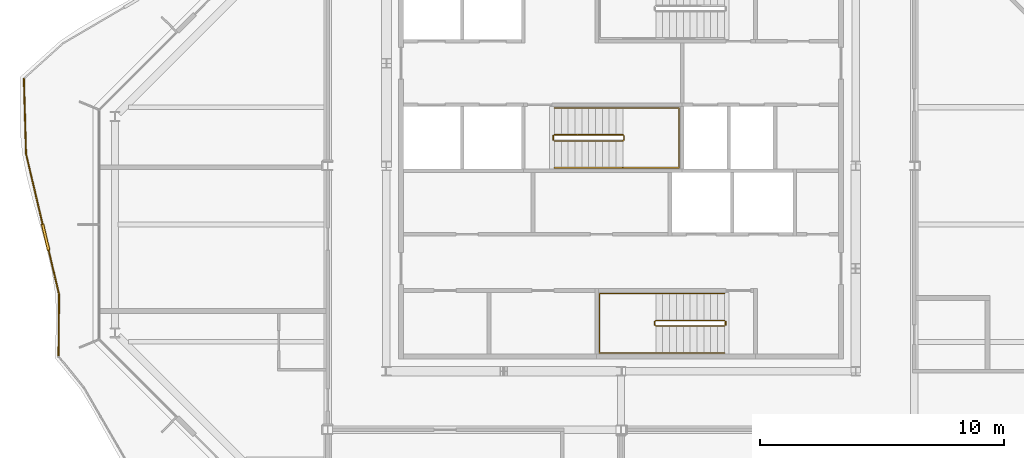
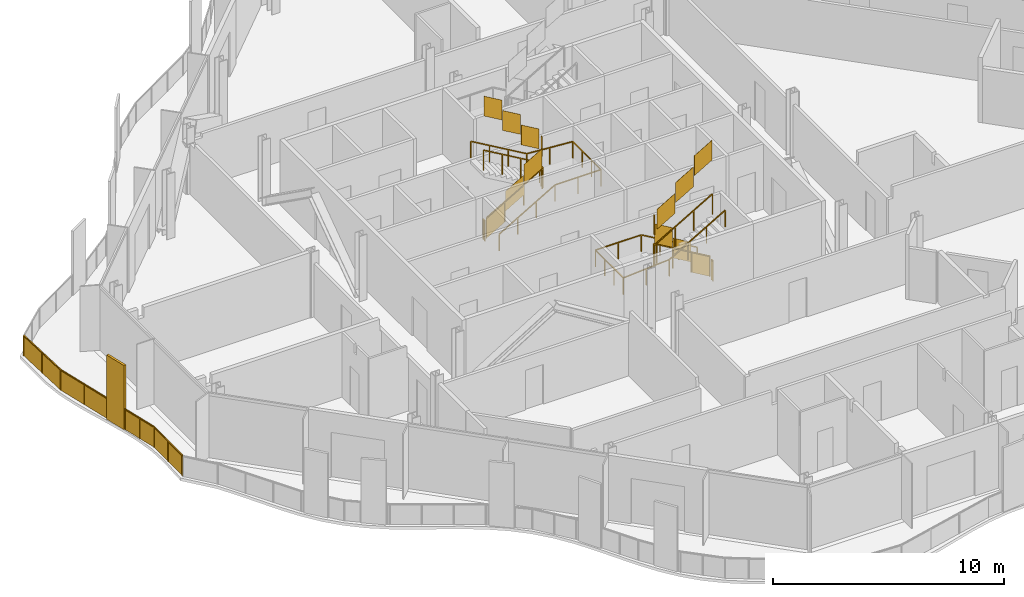
# One storey, part 14 of 17: 7 railings.
"""IFC4 building model written with IfcOpenShell, lengths in metres."""

from ifc_helpers import new_model, si_unit, direction, frame, origin, origin_2d, place, context, subcontext, project, spatial, polyline, rectangle, outline, extrude, material, type_object, element, save


model = new_model("IFC4")

# Units and contexts
model_context = context("Model", 3, precision=1e-05, world=origin(), true_north=direction((0.0, 1.0)))
body_context = subcontext(model_context, "Body", "Model", "MODEL_VIEW")
ifc_project = project(units=[si_unit("LENGTHUNIT", "METRE"), si_unit("AREAUNIT", "SQUARE_METRE"), si_unit("VOLUMEUNIT", "CUBIC_METRE"), si_unit("PLANEANGLEUNIT", "RADIAN"), si_unit("MASSUNIT", "GRAM", prefix="KILO")], contexts=[model_context])

# Site, building, storey
site_placement = place(None, origin())
site = spatial("IfcSite", under=ifc_project, at=site_placement, CompositionType="ELEMENT")
building_placement = place(site_placement, origin())
building = spatial("IfcBuilding", under=site, at=building_placement, Name="Cairn Pilgrim Tower", CompositionType="ELEMENT")
storey_placement = place(building_placement, frame((0.0, 0.0, 253.800048828125)))
storey = spatial("IfcBuildingStorey", under=building, at=storey_placement, Name="L65", CompositionType="ELEMENT", Elevation=253.800048828125)

# Railings
ifc_material_1 = material(Name="Bronze anodised aluminium rail, posts and fin screens with laminated glass infill", Category="aluminium")
railing_type_1 = type_object("IfcRailingType", Name="BALCONY GUARD WITH FIN SCREENS", PredefinedType="GUARDRAIL", material=ifc_material_1)
railing_1_placement = place(storey_placement, frame((-17.231201171875, 5.970703125, 0.0)))
element("IfcRailing", 1, at=railing_1_placement, inside=storey, type_object=railing_type_1, Name="Balcony guard BGF-7 with fin screens", PredefinedType="GUARDRAIL", context=body_context, shape_type="SweptSolid", body=[
    extrude(rectangle(XDim=0.050048828125, YDim=0.050048828125, at=origin_2d()), frame((0.0, 0.0, 1.0751953125), z_axis=(0.028605141821, -0.999590789204, 0.0), x_axis=(0.999590789204, 0.028605141821, 0.0)), (0.0, 0.0, 1.0), 3.072509765625),
    extrude(rectangle(XDim=1.10009765625, YDim=0.110107421875, at=origin_2d()), frame((0.88818359375, -6.484619140625, 0.0), z_axis=(0.0, 0.0, 1.0), x_axis=(0.228262189915, -0.973599698364, 0.0)), (0.0, 0.0, 1.0), 3.39990234375),
    extrude(rectangle(XDim=0.050048828125, YDim=0.050048828125, at=origin_2d()), frame((0.087890625, -3.0712890625, 1.0751953125), z_axis=(0.228262189915, -0.973599698364, 0.0), x_axis=(0.973599698364, 0.228262189915, 0.0)), (0.0, 0.0, 1.0), 2.9560546875),
    extrude(rectangle(XDim=0.050048828125, YDim=0.050048828125, at=origin_2d()), frame((1.013671875, -7.020263671875, 1.0751953125), z_axis=(0.228262189915, -0.973599698364, 0.0), x_axis=(0.973599698364, 0.228262189915, 0.0)), (0.0, 0.0, 1.0), 1.863037109375),
    extrude(rectangle(XDim=0.050048828125, YDim=0.050048828125, at=origin_2d()), frame((1.43896484375, -8.833984375, 1.0751953125), z_axis=(-0.008395595051, -0.999964756371, 0.0), x_axis=(0.999964756371, -0.008395595051, 0.0)), (0.0, 0.0, 1.0), 2.4716796875),
    extrude(rectangle(XDim=0.050048828125, YDim=0.050048828125, at=origin_2d()), origin(), (0.0, 0.0, 1.0), 1.050048828125),
    extrude(rectangle(XDim=0.050048828125, YDim=0.050048828125, at=origin_2d()), frame((0.0439453125, -1.53564453125, 0.0)), (0.0, 0.0, 1.0), 1.050048828125),
    extrude(rectangle(XDim=0.050048828125, YDim=0.050048828125, at=origin_2d()), frame((0.087890625, -3.0712890625, 0.0)), (0.0, 0.0, 1.0), 1.050048828125),
    extrude(rectangle(XDim=0.050048828125, YDim=0.050048828125, at=origin_2d()), frame((0.42236328125, -4.498046875, 0.0)), (0.0, 0.0, 1.0), 1.050048828125),
    extrude(rectangle(XDim=0.050048828125, YDim=0.050048828125, at=origin_2d()), frame((0.7568359375, -5.9248046875, 0.0)), (0.0, 0.0, 1.0), 1.050048828125),
    extrude(rectangle(XDim=0.050048828125, YDim=0.050048828125, at=origin_2d()), frame((1.01953125, -7.04443359375, 0.0)), (0.0, 0.0, 1.0), 1.050048828125),
    extrude(rectangle(XDim=0.050048828125, YDim=0.050048828125, at=origin_2d()), frame((1.229248046875, -7.939208984375, 0.0)), (0.0, 0.0, 1.0), 1.050048828125),
    extrude(rectangle(XDim=0.050048828125, YDim=0.050048828125, at=origin_2d()), frame((1.43896484375, -8.833984375, 0.0)), (0.0, 0.0, 1.0), 1.050048828125),
    extrude(rectangle(XDim=0.050048828125, YDim=0.050048828125, at=origin_2d()), frame((1.4287109375, -10.06982421875, 0.0)), (0.0, 0.0, 1.0), 1.050048828125),
    extrude(rectangle(XDim=0.050048828125, YDim=0.050048828125, at=origin_2d()), frame((1.418212890625, -11.3056640625, 0.0)), (0.0, 0.0, 1.0), 1.050048828125),
    extrude(outline(polyline([(0.02490234375, 0.0), (1.51123046875, 0.0), (1.51123046875, 1.050048828125), (0.02490234375, 1.050048828125), (0.02490234375, 0.0)])), frame((0.005859375, 0.000244140625, 0.0), z_axis=(-0.999590789204, -0.028605141821, 0.0), x_axis=(0.028605141821, -0.999590789204, 0.0)), (0.0, 0.0, 1.0), 0.011962890625),
    extrude(outline(polyline([(0.02490234375, 0.0), (1.51123046875, 0.0), (1.51123046875, 1.050048828125), (0.02490234375, 1.050048828125), (0.02490234375, 0.0)])), frame((0.0498046875, -1.535400390625, 0.0), z_axis=(-0.999590789204, -0.028605141821, 0.0), x_axis=(0.028605141821, -0.999590789204, 0.0)), (0.0, 0.0, 1.0), 0.011962890625),
    extrude(outline(polyline([(0.02490234375, 0.0), (1.4404296875, 0.0), (1.4404296875, 1.050048828125), (0.02490234375, 1.050048828125), (0.02490234375, 0.0)])), frame((0.09375, -3.06982421875, 0.0), z_axis=(-0.973599698364, -0.228262189915, 0.0), x_axis=(0.228262189915, -0.973599698364, 0.0)), (0.0, 0.0, 1.0), 0.011962890625),
    extrude(outline(polyline([(0.02490234375, 0.0), (1.4404296875, 0.0), (1.4404296875, 1.050048828125), (0.02490234375, 1.050048828125), (0.02490234375, 0.0)])), frame((0.42822265625, -4.49658203125, 0.0), z_axis=(-0.973599698364, -0.228262189915, 0.0), x_axis=(0.228262189915, -0.973599698364, 0.0)), (0.0, 0.0, 1.0), 0.011962890625),
    extrude(outline(polyline([(0.02490234375, 0.0), (0.89404296875, 0.0), (0.89404296875, 1.050048828125), (0.02490234375, 1.050048828125), (0.02490234375, 0.0)])), frame((1.025146484375, -7.043212890625, 0.0), z_axis=(-0.973599698364, -0.228262189915, 0.0), x_axis=(0.228262189915, -0.973599698364, 0.0)), (0.0, 0.0, 1.0), 0.011962890625),
    extrude(outline(polyline([(0.02490234375, 0.0), (0.89404296875, 0.0), (0.89404296875, 1.050048828125), (0.02490234375, 1.050048828125), (0.02490234375, 0.0)])), frame((1.235107421875, -7.93798828125, 0.0), z_axis=(-0.973599698364, -0.228262189915, 0.0), x_axis=(0.228262189915, -0.973599698364, 0.0)), (0.0, 0.0, 1.0), 0.011962890625),
    extrude(outline(polyline([(0.02490234375, 0.0), (1.2109375, 0.0), (1.2109375, 1.050048828125), (0.02490234375, 1.050048828125), (0.02490234375, 0.0)])), frame((1.44482421875, -8.833984375, 0.0), z_axis=(-0.999964756371, 0.008395595051, 0.0), x_axis=(-0.008395595051, -0.999964756371, 0.0)), (0.0, 0.0, 1.0), 0.011962890625),
    extrude(outline(polyline([(0.02490234375, 0.0), (1.2109375, 0.0), (1.2109375, 1.050048828125), (0.02490234375, 1.050048828125), (0.02490234375, 0.0)])), frame((1.4345703125, -10.06982421875, 0.0), z_axis=(-0.999964756371, 0.008395595051, 0.0), x_axis=(-0.008395595051, -0.999964756371, 0.0)), (0.0, 0.0, 1.0), 0.011962890625),
])
ifc_material_2 = material(Name="Painted steel", Category="steel")
railing_type_2 = type_object("IfcRailingType", Name="STAIR GUARD 1100", PredefinedType="GUARDRAIL", material=ifc_material_2)
railing_2_placement = place(storey_placement, frame((11.425048828125, -3.925048828125, 0.16357421875)))
element("IfcRailing", 2, at=railing_2_placement, inside=storey, type_object=railing_type_2, Name="L65 ST-A stair guard 1", PredefinedType="GUARDRAIL", context=body_context, shape_type="SweptSolid", body=[
    extrude(rectangle(XDim=0.048095703125, YDim=0.048095703125, at=origin_2d()), frame((0.0, 0.0, 1.076171875), z_axis=(-0.863360870873, 0.0, 0.504586966384), x_axis=(0.0, -1.0, 0.0)), (0.0, 0.0, 1.0), 3.2431640625),
    extrude(rectangle(XDim=0.048095703125, YDim=0.048095703125, at=origin_2d()), frame((-2.800048828125, 0.0, 2.71240234375), z_axis=(-0.707106781187, -0.707106781187, 0.0), x_axis=(0.707106781187, -0.707106781187, 0.0)), (0.0, 0.0, 1.0), 0.07080078125),
    extrude(rectangle(XDim=0.048095703125, YDim=0.048095703125, at=origin_2d()), frame((-2.85009765625, -0.050048828125, 2.71240234375), z_axis=(0.0, -1.0, 0.0), x_axis=(1.0, 0.0, 0.0)), (0.0, 0.0, 1.0), 0.125),
    extrude(rectangle(XDim=0.048095703125, YDim=0.048095703125, at=origin_2d()), frame((-2.85009765625, -0.175048828125, 2.71240234375), z_axis=(0.280916556609, -0.279546231943, 0.91811752648), x_axis=(0.705375805398, 0.708833529934, 0.0)), (0.0, 0.0, 1.0), 0.17822265625),
    extrude(rectangle(XDim=0.048095703125, YDim=0.048095703125, at=origin_2d()), frame((-2.800048828125, -0.224853515625, 2.8759765625), z_axis=(0.863393664356, 0.0, 0.504530851732), x_axis=(0.0, 1.0, 0.0)), (0.0, 0.0, 1.0), 3.2431640625),
    extrude(rectangle(XDim=0.0419921875, YDim=0.0419921875, at=origin_2d()), origin(), (0.0, 0.0, 1.0), 1.052001953125),
    extrude(rectangle(XDim=0.0419921875, YDim=0.0419921875, at=origin_2d()), frame((-0.933349609375, 0.0, 0.54541015625)), (0.0, 0.0, 1.0), 1.052001953125),
    extrude(rectangle(XDim=0.0419921875, YDim=0.0419921875, at=origin_2d()), frame((-1.86669921875, 0.0, 1.091064453125)), (0.0, 0.0, 1.0), 1.052001953125),
    extrude(rectangle(XDim=0.0419921875, YDim=0.0419921875, at=origin_2d()), frame((-2.800048828125, 0.0, 1.636474609375)), (0.0, 0.0, 1.0), 1.052001953125),
    extrude(rectangle(XDim=0.0419921875, YDim=0.0419921875, at=origin_2d()), frame((-2.85009765625, -0.050048828125, 1.636474609375)), (0.0, 0.0, 1.0), 1.052001953125),
    extrude(rectangle(XDim=0.0419921875, YDim=0.0419921875, at=origin_2d()), frame((-2.85009765625, -0.175048828125, 1.636474609375)), (0.0, 0.0, 1.0), 1.052001953125),
    extrude(rectangle(XDim=0.0419921875, YDim=0.0419921875, at=origin_2d()), frame((-2.800048828125, -0.224853515625, 1.800048828125)), (0.0, 0.0, 1.0), 1.052001953125),
    extrude(rectangle(XDim=0.0419921875, YDim=0.0419921875, at=origin_2d()), frame((-1.86669921875, -0.224853515625, 2.345458984375)), (0.0, 0.0, 1.0), 1.052001953125),
    extrude(rectangle(XDim=0.0419921875, YDim=0.0419921875, at=origin_2d()), frame((-0.933349609375, -0.224853515625, 2.890869140625)), (0.0, 0.0, 1.0), 1.052001953125),
    extrude(rectangle(XDim=0.0419921875, YDim=0.0419921875, at=origin_2d()), frame((0.0, -0.224853515625, 3.436279296875)), (0.0, 0.0, 1.0), 1.052001953125),
    extrude(outline(polyline([(0.02099609375, 0.01220703125), (0.912353515625, 0.533203125), (0.912353515625, 1.585205078125), (0.02099609375, 1.064208984375), (0.02099609375, 0.01220703125)])), frame((0.0, -0.005859375, 0.0), z_axis=(0.0, 1.0, 0.0), x_axis=(-1.0, 0.0, 0.0)), (0.0, 0.0, 1.0), 0.011962890625),
    extrude(outline(polyline([(0.02099609375, 0.557861328125), (0.912353515625, 1.07861328125), (0.912353515625, 2.130615234375), (0.02099609375, 1.60986328125), (0.02099609375, 0.557861328125)])), frame((-0.933349609375, -0.005859375, 0.54541015625), z_axis=(0.0, 1.0, 0.0), x_axis=(-1.0, 0.0, 0.0)), (0.0, 0.0, 1.0), 0.011962890625),
    extrude(outline(polyline([(0.02099609375, 1.103271484375), (0.912353515625, 1.624267578125), (0.912353515625, 2.67626953125), (0.02099609375, 2.1552734375), (0.02099609375, 1.103271484375)])), frame((-1.86669921875, -0.005859375, 1.091064453125), z_axis=(0.0, 1.0, 0.0), x_axis=(-1.0, 0.0, 0.0)), (0.0, 0.0, 1.0), 0.011962890625),
    extrude(outline(polyline([(0.02099609375, 1.636474609375), (0.10400390625, 1.636474609375), (0.10400390625, 2.6884765625), (0.02099609375, 2.6884765625), (0.02099609375, 1.636474609375)])), frame((-2.84423828125, -0.050048828125, 1.636474609375), z_axis=(-1.0, 0.0, 0.0), x_axis=(0.0, -1.0, 0.0)), (0.0, 0.0, 1.0), 0.011962890625),
    extrude(outline(polyline([(0.02099609375, 1.812255859375), (0.912353515625, 2.333251953125), (0.912353515625, 3.38525390625), (0.02099609375, 2.8642578125), (0.02099609375, 1.812255859375)])), frame((-2.800048828125, -0.21875, 1.800048828125), z_axis=(0.0, -1.0, 0.0), x_axis=(1.0, 0.0, 0.0)), (0.0, 0.0, 1.0), 0.011962890625),
    extrude(outline(polyline([(0.02099609375, 2.357666015625), (0.912353515625, 2.878662109375), (0.912353515625, 3.9306640625), (0.02099609375, 3.40966796875), (0.02099609375, 2.357666015625)])), frame((-1.86669921875, -0.21875, 2.345458984375), z_axis=(0.0, -1.0, 0.0), x_axis=(1.0, 0.0, 0.0)), (0.0, 0.0, 1.0), 0.011962890625),
    extrude(outline(polyline([(0.02099609375, 2.903076171875), (0.912353515625, 3.424072265625), (0.912353515625, 4.47607421875), (0.02099609375, 3.955078125), (0.02099609375, 2.903076171875)])), frame((-0.933349609375, -0.21875, 2.890869140625), z_axis=(0.0, -1.0, 0.0), x_axis=(1.0, 0.0, 0.0)), (0.0, 0.0, 1.0), 0.011962890625),
])
railing_3_placement = place(storey_placement, frame((11.47509765625, -3.97509765625, 0.0)))
element("IfcRailing", 3, at=railing_3_placement, inside=storey, type_object=railing_type_2, Name="L65 ST-A stair guard 2", PredefinedType="GUARDRAIL", context=body_context, shape_type="SweptSolid", body=[
    extrude(rectangle(XDim=0.048095703125, YDim=0.048095703125, at=origin_2d()), frame((0.0, 0.0, 1.076171875), z_axis=(0.0, -1.0, 0.0), x_axis=(1.0, 0.0, 0.0)), (0.0, 0.0, 1.0), 0.125),
    extrude(rectangle(XDim=0.0419921875, YDim=0.0419921875, at=origin_2d()), origin(), (0.0, 0.0, 1.0), 1.052001953125),
    extrude(rectangle(XDim=0.0419921875, YDim=0.0419921875, at=origin_2d()), frame((0.0, -0.125, 0.0)), (0.0, 0.0, 1.0), 1.052001953125),
    extrude(outline(polyline([(0.02099609375, 0.0), (0.10400390625, 0.0), (0.10400390625, 1.052001953125), (0.02099609375, 1.052001953125), (0.02099609375, 0.0)])), frame((0.005859375, 0.0, 0.0), z_axis=(-1.0, 0.0, 0.0), x_axis=(0.0, -1.0, 0.0)), (0.0, 0.0, 1.0), 0.011962890625),
])
railing_4_placement = place(storey_placement, frame((4.47509765625, 3.425048828125, 0.16357421875)))
element("IfcRailing", 4, at=railing_4_placement, inside=storey, type_object=railing_type_2, Name="L65 ST-B stair guard 1", PredefinedType="GUARDRAIL", context=body_context, shape_type="SweptSolid", body=[
    extrude(rectangle(XDim=0.048095703125, YDim=0.048095703125, at=origin_2d()), frame((0.0, 0.0, 1.076171875), z_axis=(0.863341702679, 0.0, 0.504619762213), x_axis=(0.0, 1.0, 0.0)), (0.0, 0.0, 1.0), 3.242919921875),
    extrude(rectangle(XDim=0.048095703125, YDim=0.048095703125, at=origin_2d()), frame((2.7998046875, 0.0, 2.71240234375), z_axis=(0.707106781187, 0.707106781187, 0.0), x_axis=(-0.707106781187, 0.707106781187, 0.0)), (0.0, 0.0, 1.0), 0.07080078125),
    extrude(rectangle(XDim=0.048095703125, YDim=0.048095703125, at=origin_2d()), frame((2.849853515625, 0.050048828125, 2.71240234375), z_axis=(0.0, 1.0, 0.0), x_axis=(-1.0, 0.0, 0.0)), (0.0, 0.0, 1.0), 0.14990234375),
    extrude(rectangle(XDim=0.048095703125, YDim=0.048095703125, at=origin_2d()), frame((2.849853515625, 0.199951171875, 2.71240234375), z_axis=(-0.280808744504, 0.280808744504, 0.917765164963), x_axis=(-0.707106781187, -0.707106781187, 0.0)), (0.0, 0.0, 1.0), 0.17822265625),
    extrude(rectangle(XDim=0.048095703125, YDim=0.048095703125, at=origin_2d()), frame((2.7998046875, 0.25, 2.8759765625), z_axis=(-0.863374499697, 0.0, 0.504563646405), x_axis=(0.0, -1.0, 0.0)), (0.0, 0.0, 1.0), 3.242919921875),
    extrude(rectangle(XDim=0.0419921875, YDim=0.0419921875, at=origin_2d()), origin(), (0.0, 0.0, 1.0), 1.052001953125),
    extrude(rectangle(XDim=0.0419921875, YDim=0.0419921875, at=origin_2d()), frame((0.933349609375, 0.0, 0.54541015625)), (0.0, 0.0, 1.0), 1.052001953125),
    extrude(rectangle(XDim=0.0419921875, YDim=0.0419921875, at=origin_2d()), frame((1.866455078125, 0.0, 1.091064453125)), (0.0, 0.0, 1.0), 1.052001953125),
    extrude(rectangle(XDim=0.0419921875, YDim=0.0419921875, at=origin_2d()), frame((2.7998046875, 0.0, 1.636474609375)), (0.0, 0.0, 1.0), 1.052001953125),
    extrude(rectangle(XDim=0.0419921875, YDim=0.0419921875, at=origin_2d()), frame((2.849853515625, 0.050048828125, 1.636474609375)), (0.0, 0.0, 1.0), 1.052001953125),
    extrude(rectangle(XDim=0.0419921875, YDim=0.0419921875, at=origin_2d()), frame((2.849853515625, 0.199951171875, 1.636474609375)), (0.0, 0.0, 1.0), 1.052001953125),
    extrude(rectangle(XDim=0.0419921875, YDim=0.0419921875, at=origin_2d()), frame((2.7998046875, 0.25, 1.800048828125)), (0.0, 0.0, 1.0), 1.052001953125),
    extrude(rectangle(XDim=0.0419921875, YDim=0.0419921875, at=origin_2d()), frame((1.866455078125, 0.25, 2.345458984375)), (0.0, 0.0, 1.0), 1.052001953125),
    extrude(rectangle(XDim=0.0419921875, YDim=0.0419921875, at=origin_2d()), frame((0.933349609375, 0.25, 2.890869140625)), (0.0, 0.0, 1.0), 1.052001953125),
    extrude(rectangle(XDim=0.0419921875, YDim=0.0419921875, at=origin_2d()), frame((0.0, 0.25, 3.436279296875)), (0.0, 0.0, 1.0), 1.052001953125),
    extrude(outline(polyline([(0.02099609375, 0.01220703125), (0.912353515625, 0.533203125), (0.912353515625, 1.585205078125), (0.02099609375, 1.064208984375), (0.02099609375, 0.01220703125)])), frame((0.0, 0.005859375, 0.0), z_axis=(0.0, -1.0, 0.0), x_axis=(1.0, 0.0, 0.0)), (0.0, 0.0, 1.0), 0.011962890625),
    extrude(outline(polyline([(0.02099609375, 0.557861328125), (0.912353515625, 1.07861328125), (0.912353515625, 2.130615234375), (0.02099609375, 1.60986328125), (0.02099609375, 0.557861328125)])), frame((0.933349609375, 0.005859375, 0.54541015625), z_axis=(0.0, -1.0, 0.0), x_axis=(1.0, 0.0, 0.0)), (0.0, 0.0, 1.0), 0.011962890625),
    extrude(outline(polyline([(0.02099609375, 1.103271484375), (0.912353515625, 1.624267578125), (0.912353515625, 2.67626953125), (0.02099609375, 2.1552734375), (0.02099609375, 1.103271484375)])), frame((1.866455078125, 0.005859375, 1.091064453125), z_axis=(0.0, -1.0, 0.0), x_axis=(1.0, 0.0, 0.0)), (0.0, 0.0, 1.0), 0.011962890625),
    extrude(outline(polyline([(0.02099609375, 1.636474609375), (0.12890625, 1.636474609375), (0.12890625, 2.6884765625), (0.02099609375, 2.6884765625), (0.02099609375, 1.636474609375)])), frame((2.84375, 0.050048828125, 1.636474609375), z_axis=(1.0, 0.0, 0.0), x_axis=(0.0, 1.0, 0.0)), (0.0, 0.0, 1.0), 0.011962890625),
    extrude(outline(polyline([(0.02099609375, 1.812255859375), (0.912353515625, 2.333251953125), (0.912353515625, 3.38525390625), (0.02099609375, 2.8642578125), (0.02099609375, 1.812255859375)])), frame((2.7998046875, 0.244140625, 1.800048828125), z_axis=(0.0, 1.0, 0.0), x_axis=(-1.0, 0.0, 0.0)), (0.0, 0.0, 1.0), 0.011962890625),
    extrude(outline(polyline([(0.02099609375, 2.357666015625), (0.912353515625, 2.878662109375), (0.912353515625, 3.9306640625), (0.02099609375, 3.40966796875), (0.02099609375, 2.357666015625)])), frame((1.866455078125, 0.244140625, 2.345458984375), z_axis=(0.0, 1.0, 0.0), x_axis=(-1.0, 0.0, 0.0)), (0.0, 0.0, 1.0), 0.011962890625),
    extrude(outline(polyline([(0.02099609375, 2.903076171875), (0.912353515625, 3.424072265625), (0.912353515625, 4.47607421875), (0.02099609375, 3.955078125), (0.02099609375, 2.903076171875)])), frame((0.933349609375, 0.244140625, 2.890869140625), z_axis=(0.0, 1.0, 0.0), x_axis=(-1.0, 0.0, 0.0)), (0.0, 0.0, 1.0), 0.011962890625),
])
railing_5_placement = place(storey_placement, frame((4.425048828125, 3.47509765625, 0.0)))
element("IfcRailing", 5, at=railing_5_placement, inside=storey, type_object=railing_type_2, Name="L65 ST-B stair guard 2", PredefinedType="GUARDRAIL", context=body_context, shape_type="SweptSolid", body=[
    extrude(rectangle(XDim=0.048095703125, YDim=0.048095703125, at=origin_2d()), frame((0.0, 0.0, 1.076171875), z_axis=(0.0, 1.0, 0.0), x_axis=(-1.0, 0.0, 0.0)), (0.0, 0.0, 1.0), 0.14990234375),
    extrude(rectangle(XDim=0.0419921875, YDim=0.0419921875, at=origin_2d()), origin(), (0.0, 0.0, 1.0), 1.052001953125),
    extrude(rectangle(XDim=0.0419921875, YDim=0.0419921875, at=origin_2d()), frame((0.0, 0.14990234375, 0.0)), (0.0, 0.0, 1.0), 1.052001953125),
    extrude(outline(polyline([(0.02099609375, 0.0), (0.12890625, 0.0), (0.12890625, 1.052001953125), (0.02099609375, 1.052001953125), (0.02099609375, 0.0)])), frame((-0.005859375, 0.0, 0.0), z_axis=(1.0, 0.0, 0.0), x_axis=(0.0, 1.0, 0.0)), (0.0, 0.0, 1.0), 0.011962890625),
])
railing_type_3 = type_object("IfcRailingType", Name="STAIR HANDRAIL 900", PredefinedType="HANDRAIL", material=ifc_material_2)
railing_6_placement = place(storey_placement, frame((11.425048828125, -2.824951171875, 0.16357421875)))
element("IfcRailing", 6, at=railing_6_placement, inside=storey, type_object=railing_type_3, Name="L65 ST-A stair handrail 1", PredefinedType="HANDRAIL", context=body_context, shape_type="SweptSolid", body=[
    extrude(rectangle(XDim=0.048095703125, YDim=0.048095703125, at=origin_2d()), frame((0.0, 0.0, 0.8759765625), z_axis=(-0.863360870873, 0.0, 0.504586966384), x_axis=(0.0, -1.0, 0.0)), (0.0, 0.0, 1.0), 3.2431640625),
    extrude(rectangle(XDim=0.048095703125, YDim=0.048095703125, at=origin_2d()), frame((-2.800048828125, 0.0, 2.51220703125), z_axis=(-1.0, 0.0, 0.0), x_axis=(0.0, -1.0, 0.0)), (0.0, 0.0, 1.0), 2.300048828125),
    extrude(rectangle(XDim=0.048095703125, YDim=0.048095703125, at=origin_2d()), frame((-5.10009765625, 0.0, 2.51220703125), z_axis=(0.0, -1.0, 0.0), x_axis=(1.0, 0.0, 0.0)), (0.0, 0.0, 1.0), 2.425048828125),
    extrude(rectangle(XDim=0.048095703125, YDim=0.048095703125, at=origin_2d()), frame((-5.10009765625, -2.425048828125, 2.51220703125), z_axis=(0.997480687736, 0.0, 0.070938548008), x_axis=(0.0, 1.0, 0.0)), (0.0, 0.0, 1.0), 2.305908203125),
    extrude(rectangle(XDim=0.048095703125, YDim=0.048095703125, at=origin_2d()), frame((-2.800048828125, -2.425048828125, 2.67578125), z_axis=(0.863393664356, 0.0, 0.504530851732), x_axis=(0.0, 1.0, 0.0)), (0.0, 0.0, 1.0), 3.2431640625),
    extrude(rectangle(XDim=0.0419921875, YDim=0.0419921875, at=origin_2d()), origin(), (0.0, 0.0, 1.0), 0.851806640625),
    extrude(rectangle(XDim=0.0419921875, YDim=0.0419921875, at=origin_2d()), frame((-0.933349609375, 0.0, 0.54541015625)), (0.0, 0.0, 1.0), 0.851806640625),
    extrude(rectangle(XDim=0.0419921875, YDim=0.0419921875, at=origin_2d()), frame((-1.86669921875, 0.0, 1.091064453125)), (0.0, 0.0, 1.0), 0.851806640625),
    extrude(rectangle(XDim=0.0419921875, YDim=0.0419921875, at=origin_2d()), frame((-2.800048828125, 0.0, 1.636474609375)), (0.0, 0.0, 1.0), 0.851806640625),
    extrude(rectangle(XDim=0.0419921875, YDim=0.0419921875, at=origin_2d()), frame((-3.9501953125, 0.0, 1.636474609375)), (0.0, 0.0, 1.0), 0.851806640625),
    extrude(rectangle(XDim=0.0419921875, YDim=0.0419921875, at=origin_2d()), frame((-5.10009765625, 0.0, 1.636474609375)), (0.0, 0.0, 1.0), 0.851806640625),
    extrude(rectangle(XDim=0.0419921875, YDim=0.0419921875, at=origin_2d()), frame((-5.10009765625, -0.808349609375, 1.636474609375)), (0.0, 0.0, 1.0), 0.851806640625),
    extrude(rectangle(XDim=0.0419921875, YDim=0.0419921875, at=origin_2d()), frame((-5.10009765625, -1.61669921875, 1.636474609375)), (0.0, 0.0, 1.0), 0.851806640625),
    extrude(rectangle(XDim=0.0419921875, YDim=0.0419921875, at=origin_2d()), frame((-5.10009765625, -2.425048828125, 1.636474609375)), (0.0, 0.0, 1.0), 0.851806640625),
    extrude(rectangle(XDim=0.0419921875, YDim=0.0419921875, at=origin_2d()), frame((-3.9501953125, -2.425048828125, 1.71826171875)), (0.0, 0.0, 1.0), 0.851806640625),
    extrude(rectangle(XDim=0.0419921875, YDim=0.0419921875, at=origin_2d()), frame((-2.800048828125, -2.425048828125, 1.800048828125)), (0.0, 0.0, 1.0), 0.851806640625),
    extrude(rectangle(XDim=0.0419921875, YDim=0.0419921875, at=origin_2d()), frame((-1.86669921875, -2.425048828125, 2.345458984375)), (0.0, 0.0, 1.0), 0.851806640625),
    extrude(rectangle(XDim=0.0419921875, YDim=0.0419921875, at=origin_2d()), frame((-0.933349609375, -2.425048828125, 2.890869140625)), (0.0, 0.0, 1.0), 0.851806640625),
    extrude(rectangle(XDim=0.0419921875, YDim=0.0419921875, at=origin_2d()), frame((0.0, -2.425048828125, 3.436279296875)), (0.0, 0.0, 1.0), 0.851806640625),
])
railing_7_placement = place(storey_placement, frame((4.47509765625, 2.324951171875, 0.16357421875)))
element("IfcRailing", 7, at=railing_7_placement, inside=storey, type_object=railing_type_3, Name="L65 ST-B stair handrail 1", PredefinedType="HANDRAIL", context=body_context, shape_type="SweptSolid", body=[
    extrude(rectangle(XDim=0.048095703125, YDim=0.048095703125, at=origin_2d()), frame((0.0, 0.0, 0.8759765625), z_axis=(0.863341702679, 0.0, 0.504619762213), x_axis=(0.0, 1.0, 0.0)), (0.0, 0.0, 1.0), 3.242919921875),
    extrude(rectangle(XDim=0.048095703125, YDim=0.048095703125, at=origin_2d()), frame((2.7998046875, 0.0, 2.51220703125), z_axis=(1.0, 0.0, 0.0), x_axis=(0.0, 1.0, 0.0)), (0.0, 0.0, 1.0), 2.300048828125),
    extrude(rectangle(XDim=0.048095703125, YDim=0.048095703125, at=origin_2d()), frame((5.099853515625, 0.0, 2.51220703125), z_axis=(0.0, 1.0, 0.0), x_axis=(-1.0, 0.0, 0.0)), (0.0, 0.0, 1.0), 2.449951171875),
    extrude(rectangle(XDim=0.048095703125, YDim=0.048095703125, at=origin_2d()), frame((5.099853515625, 2.449951171875, 2.51220703125), z_axis=(-0.997480687736, 0.0, 0.070938548008), x_axis=(0.0, -1.0, 0.0)), (0.0, 0.0, 1.0), 2.305908203125),
    extrude(rectangle(XDim=0.048095703125, YDim=0.048095703125, at=origin_2d()), frame((2.7998046875, 2.449951171875, 2.67578125), z_axis=(-0.863374499697, 0.0, 0.504563646405), x_axis=(0.0, -1.0, 0.0)), (0.0, 0.0, 1.0), 3.242919921875),
    extrude(rectangle(XDim=0.0419921875, YDim=0.0419921875, at=origin_2d()), origin(), (0.0, 0.0, 1.0), 0.851806640625),
    extrude(rectangle(XDim=0.0419921875, YDim=0.0419921875, at=origin_2d()), frame((0.933349609375, 0.0, 0.54541015625)), (0.0, 0.0, 1.0), 0.851806640625),
    extrude(rectangle(XDim=0.0419921875, YDim=0.0419921875, at=origin_2d()), frame((1.866455078125, 0.0, 1.091064453125)), (0.0, 0.0, 1.0), 0.851806640625),
    extrude(rectangle(XDim=0.0419921875, YDim=0.0419921875, at=origin_2d()), frame((2.7998046875, 0.0, 1.636474609375)), (0.0, 0.0, 1.0), 0.851806640625),
    extrude(rectangle(XDim=0.0419921875, YDim=0.0419921875, at=origin_2d()), frame((3.94970703125, 0.0, 1.636474609375)), (0.0, 0.0, 1.0), 0.851806640625),
    extrude(rectangle(XDim=0.0419921875, YDim=0.0419921875, at=origin_2d()), frame((5.099853515625, 0.0, 1.636474609375)), (0.0, 0.0, 1.0), 0.851806640625),
    extrude(rectangle(XDim=0.0419921875, YDim=0.0419921875, at=origin_2d()), frame((5.099853515625, 0.816650390625, 1.636474609375)), (0.0, 0.0, 1.0), 0.851806640625),
    extrude(rectangle(XDim=0.0419921875, YDim=0.0419921875, at=origin_2d()), frame((5.099853515625, 1.63330078125, 1.636474609375)), (0.0, 0.0, 1.0), 0.851806640625),
    extrude(rectangle(XDim=0.0419921875, YDim=0.0419921875, at=origin_2d()), frame((5.099853515625, 2.449951171875, 1.636474609375)), (0.0, 0.0, 1.0), 0.851806640625),
    extrude(rectangle(XDim=0.0419921875, YDim=0.0419921875, at=origin_2d()), frame((3.94970703125, 2.449951171875, 1.71826171875)), (0.0, 0.0, 1.0), 0.851806640625),
    extrude(rectangle(XDim=0.0419921875, YDim=0.0419921875, at=origin_2d()), frame((2.7998046875, 2.449951171875, 1.800048828125)), (0.0, 0.0, 1.0), 0.851806640625),
    extrude(rectangle(XDim=0.0419921875, YDim=0.0419921875, at=origin_2d()), frame((1.866455078125, 2.449951171875, 2.345458984375)), (0.0, 0.0, 1.0), 0.851806640625),
    extrude(rectangle(XDim=0.0419921875, YDim=0.0419921875, at=origin_2d()), frame((0.933349609375, 2.449951171875, 2.890869140625)), (0.0, 0.0, 1.0), 0.851806640625),
    extrude(rectangle(XDim=0.0419921875, YDim=0.0419921875, at=origin_2d()), frame((0.0, 2.449951171875, 3.436279296875)), (0.0, 0.0, 1.0), 0.851806640625),
])

save(model, "model.ifc")
